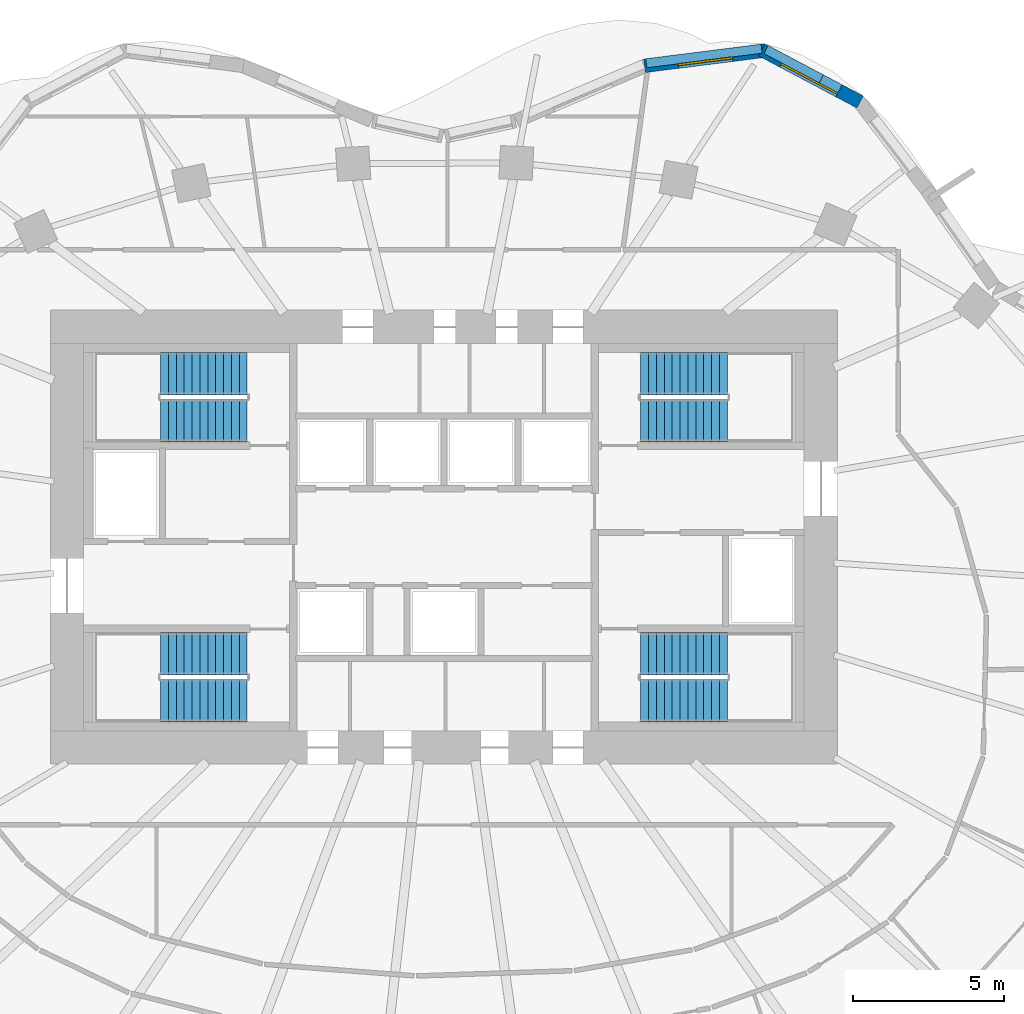
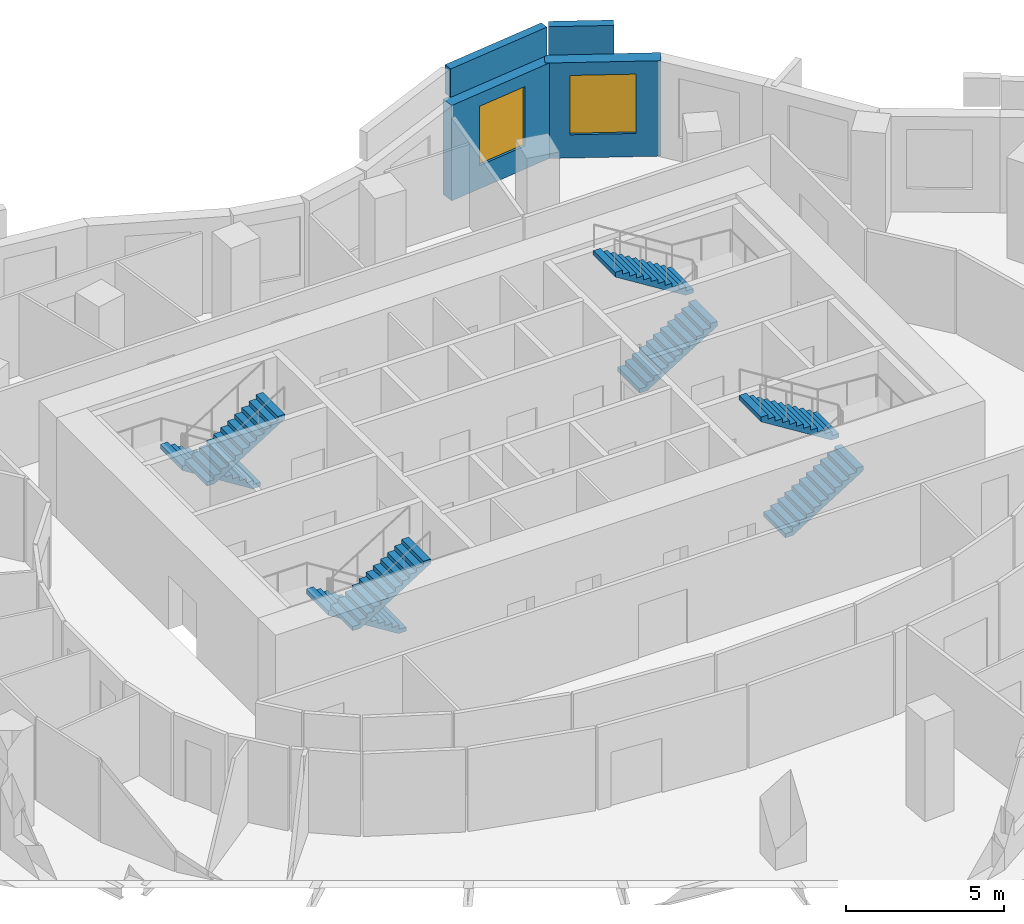
# One storey, part 9 of 10: 8 stair flights, 4 walls, 2 windows, 2 openings, 4 elements without a shape of their own.
"""IFC4 building model written with IfcOpenShell, lengths in metres."""

from ifc_helpers import new_model, si_unit, direction, frame, frame_2d, origin, place, context, subcontext, project, spatial, polyline, rectangle, outline, extrude, material, layer, layer_set, type_object, element, fill, aggregate, save


model = new_model("IFC4")

# Units and contexts
model_context = context("Model", 3, precision=1e-05, world=origin(), true_north=direction((0.0, 1.0)))
body_context = subcontext(model_context, "Body", "Model", "MODEL_VIEW")
ifc_project = project(units=[si_unit("LENGTHUNIT", "METRE"), si_unit("AREAUNIT", "SQUARE_METRE"), si_unit("VOLUMEUNIT", "CUBIC_METRE"), si_unit("PLANEANGLEUNIT", "RADIAN"), si_unit("MASSUNIT", "GRAM", prefix="KILO")], contexts=[model_context])

# Site, building, storey
site_placement = place(None, origin())
site = spatial("IfcSite", under=ifc_project, at=site_placement, CompositionType="ELEMENT")
building_placement = place(site_placement, origin())
building = spatial("IfcBuilding", under=site, at=building_placement, Name="Rubra Terraces Tower", CompositionType="ELEMENT")
storey_placement = place(building_placement, frame((0.0, 0.0, 157.800048828125)))
storey = spatial("IfcBuildingStorey", under=building, at=storey_placement, Name="L38", CompositionType="ELEMENT", Elevation=157.800048828125)

# Wall, opening, window
ifc_material_1 = material(Name="Brick masonry red-brown", Category="masonry")
ifc_layer_1 = layer(ifc_material_1, 0.449951171875)
ifc_layer_set_1 = layer_set([ifc_layer_1], Name="Brick masonry red-brown")
wall_type_1 = type_object("IfcWallType", Name="Brick facade wall 450", PredefinedType="SOLIDWALL", material=ifc_layer_set_1)
wall_1_placement = place(storey_placement, frame((13.75048828125, 18.872314453125, 0.0), z_axis=(0.0, 0.0, 1.0), x_axis=(-0.883502778071, 0.46842591852, 0.0)))
wall_1 = element("IfcWall", 1, at=wall_1_placement, inside=storey, type_object=wall_type_1, Name="Facade wall L38 bay 7", PredefinedType="SOLIDWALL", context=body_context, shape_type="SweptSolid", body=[
    extrude(rectangle(XDim=3.6884765625, YDim=0.449951171875, at=frame_2d((1.84423828125, 0.0))), origin(), (0.0, 0.0, 1.0), 3.699951171875),
])
opening_1_placement = place(wall_1_placement, frame((0.79443359375, 0.0, 0.89990234375)))
opening_1 = element("IfcOpeningElement", 2, at=opening_1_placement, cuts=wall_1, Name="Opening W1B", PredefinedType="OPENING", context=body_context, shape_type="SweptSolid", body=[
    extrude(rectangle(XDim=2.10009765625, YDim=2.300048828125, at=frame_2d((1.050048828125, 1.14990234375))), frame((0.0, 0.23486328125, 0.0), z_axis=(0.0, -1.0, 0.0), x_axis=(1.0, 0.0, 0.0)), (0.0, 0.0, 1.0), 0.469970703125),
])
ifc_material_2 = material(Name="Clear glass in aluminium frame", Category="aluminium")
window_type_1 = type_object("IfcWindowType", Name="Fixed deep-set window tall storey 2100 x 2300", PartitioningType="SINGLE_PANEL", PredefinedType="WINDOW", material=ifc_material_2)
window_1_placement = place(opening_1_placement, origin())
window_1 = element("IfcWindow", 3, at=window_1_placement, inside=storey, type_object=window_type_1, Name="Window L38 bay 7", OverallHeight=2.300048828125, OverallWidth=2.10009765625, PartitioningType="SINGLE_PANEL", PredefinedType="WINDOW", context=body_context, shape_type="SweptSolid", body=[
    extrude(rectangle(XDim=2.10009765625, YDim=2.300048828125, at=frame_2d((1.050048828125, 1.14990234375))), frame((0.0, 0.135009765625, 0.0), z_axis=(0.0, -1.0, 0.0), x_axis=(1.0, 0.0, 0.0)), (0.0, 0.0, 1.0), 0.06005859375),
])
fill(opening_1, window_1)

wall_2_placement = place(storey_placement, frame((10.625244140625, 20.57568359375, 0.0), z_axis=(0.0, 0.0, 1.0), x_axis=(-0.992109407201, -0.125375133674, 0.0)))
wall_2 = element("IfcWall", 4, at=wall_2_placement, inside=storey, type_object=wall_type_1, Name="Facade wall L38 bay 8", PredefinedType="SOLIDWALL", context=body_context, shape_type="SweptSolid", body=[
    extrude(rectangle(XDim=4.03466796875, YDim=0.449951171875, at=frame_2d((2.017333984375, 0.0))), origin(), (0.0, 0.0, 1.0), 3.699951171875),
])
opening_2_placement = place(wall_2_placement, frame((1.117431640625, 0.0, 0.89990234375)))
opening_2 = element("IfcOpeningElement", 5, at=opening_2_placement, cuts=wall_2, Name="Opening W6B", PredefinedType="OPENING", context=body_context, shape_type="SweptSolid", body=[
    extrude(rectangle(XDim=1.800048828125, YDim=2.300048828125, at=frame_2d((0.89990234375, 1.14990234375))), frame((0.0, 0.23486328125, 0.0), z_axis=(0.0, -1.0, 0.0), x_axis=(1.0, 0.0, 0.0)), (0.0, 0.0, 1.0), 0.469970703125),
])
window_type_2 = type_object("IfcWindowType", Name="Fixed deep-set window at wind fin tall storey 1800 x 2300", PartitioningType="SINGLE_PANEL", PredefinedType="WINDOW", material=ifc_material_2)
window_2_placement = place(opening_2_placement, origin())
window_2 = element("IfcWindow", 6, at=window_2_placement, inside=storey, type_object=window_type_2, Name="Window L38 bay 8", OverallHeight=2.300048828125, OverallWidth=1.800048828125, PartitioningType="SINGLE_PANEL", PredefinedType="WINDOW", context=body_context, shape_type="SweptSolid", body=[
    extrude(rectangle(XDim=1.800048828125, YDim=2.300048828125, at=frame_2d((0.89990234375, 1.14990234375))), frame((0.0, 0.135009765625, 0.0), z_axis=(0.0, -1.0, 0.0), x_axis=(1.0, 0.0, 0.0)), (0.0, 0.0, 1.0), 0.06005859375),
])
fill(opening_2, window_2)

# Walls
ifc_layer_2 = layer(ifc_material_1, 0.300048828125)
ifc_layer_set_2 = layer_set([ifc_layer_2], Name="Brick masonry red-brown")
wall_type_2 = type_object("IfcWallType", Name="Brick parapet 300", PredefinedType="PARAPET", material=ifc_layer_set_2)
wall_3_placement = place(storey_placement, frame((12.4658203125, 19.63818359375, 3.89990234375), z_axis=(0.0, 0.0, 1.0), x_axis=(-0.883460622644, 0.468505419645, 0.0)))
element("IfcWall", 7, at=wall_3_placement, inside=storey, type_object=wall_type_2, Name="Parapet L38 bay 7", PredefinedType="PARAPET", context=body_context, shape_type="SweptSolid", body=[
    extrude(rectangle(XDim=2.06982421875, YDim=0.300048828125, at=frame_2d((1.034912109375, 0.0))), origin(), (0.0, 0.0, 1.0), 1.10009765625),
])
wall_4_placement = place(storey_placement, frame((10.49169921875, 20.634521484375, 3.89990234375), z_axis=(0.0, 0.0, 1.0), x_axis=(-0.992108633106, -0.125381259031, 0.0)))
element("IfcWall", 8, at=wall_4_placement, inside=storey, type_object=wall_type_2, Name="Parapet L38 bay 8", PredefinedType="PARAPET", context=body_context, shape_type="SweptSolid", body=[
    extrude(rectangle(XDim=3.837890625, YDim=0.300048828125, at=frame_2d((1.9189453125, 0.0))), origin(), (0.0, 0.0, 1.0), 1.10009765625),
])

# Stair, stair flights
ifc_material_3 = material(Name="Concrete C40", Category="concrete")
stair_type = type_object("IfcStairType", Name="Core stair 1400", PredefinedType="HALF_TURN_STAIR", material=ifc_material_3)
stair_1_placement = place(storey_placement, origin())
stair_1 = element("IfcStair", 9, at=stair_1_placement, inside=storey, type_object=stair_type, Name="L38 Exit stair S1", PredefinedType="HALF_TURN_STAIR")
stair_flight_type = type_object("IfcStairFlightType", Name="Core stair flight 1400", PredefinedType="STRAIGHT", material=ifc_material_3)
stair_flight_1_placement = place(storey_placement, frame((-6.5, 0.64990234375, 0.0), z_axis=(0.0, 0.0, 1.0), x_axis=(-1.0, 0.0, 0.0)))
stair_flight_1 = element("IfcStairFlight", 10, at=stair_flight_1_placement, type_object=stair_flight_type, Name="S1 flight 1", NumberOfRisers=12, NumberOfTreads=11, PredefinedType="STRAIGHT", RiserHeight=0.1625, TreadLength=0.26, context=body_context, shape_type="SweptSolid", body=[
    extrude(outline(polyline([(0.0, 0.0), (0.0, 0.16259765625), (0.260009765625, 0.16259765625), (0.260009765625, 0.324951171875), (0.52001953125, 0.324951171875), (0.52001953125, 0.487548828125), (0.780029296875, 0.487548828125), (0.780029296875, 0.64990234375), (1.0400390625, 0.64990234375), (1.0400390625, 0.8125), (1.300048828125, 0.8125), (1.300048828125, 0.97509765625), (1.56005859375, 0.97509765625), (1.56005859375, 1.137451171875), (1.820068359375, 1.137451171875), (1.820068359375, 1.300048828125), (2.080078125, 1.300048828125), (2.080078125, 1.46240234375), (2.340087890625, 1.46240234375), (2.340087890625, 1.625), (2.60009765625, 1.625), (2.60009765625, 1.78759765625), (2.860107421875, 1.78759765625), (2.860107421875, 1.949951171875), (2.860107421875, 1.61083984375), (0.28271484375, 0.0), (0.0, 0.0)])), frame((0.0, 0.699951171875, 0.0), z_axis=(0.0, -1.0, 0.0), x_axis=(1.0, 0.0, 0.0)), (0.0, 0.0, 1.0), 1.39990234375),
])
stair_flight_2_placement = place(storey_placement, frame((-9.360107421875, -0.89990234375, 1.949951171875), z_axis=(0.0, 0.0, 1.0), x_axis=(1.0, 0.0, 0.0)))
stair_flight_2 = element("IfcStairFlight", 11, at=stair_flight_2_placement, type_object=stair_flight_type, Name="S1 flight 2", NumberOfRisers=12, NumberOfTreads=11, PredefinedType="STRAIGHT", RiserHeight=0.1625, TreadLength=0.26, context=body_context, shape_type="SweptSolid", body=[
    extrude(outline(polyline([(0.0, 0.0), (0.0, 0.16259765625), (0.260009765625, 0.16259765625), (0.260009765625, 0.324951171875), (0.52001953125, 0.324951171875), (0.52001953125, 0.487548828125), (0.780029296875, 0.487548828125), (0.780029296875, 0.64990234375), (1.0400390625, 0.64990234375), (1.0400390625, 0.8125), (1.300048828125, 0.8125), (1.300048828125, 0.97509765625), (1.56005859375, 0.97509765625), (1.56005859375, 1.137451171875), (1.820068359375, 1.137451171875), (1.820068359375, 1.300048828125), (2.080078125, 1.300048828125), (2.080078125, 1.46240234375), (2.340087890625, 1.46240234375), (2.340087890625, 1.625), (2.60009765625, 1.625), (2.60009765625, 1.78759765625), (2.860107421875, 1.78759765625), (2.860107421875, 1.949951171875), (2.860107421875, 1.61083984375), (0.28271484375, 0.0), (0.0, 0.0)])), frame((0.0, 0.699951171875, 0.0), z_axis=(0.0, -1.0, 0.0), x_axis=(1.0, 0.0, 0.0)), (0.0, 0.0, 1.0), 1.39990234375),
])
aggregate(stair_1, [stair_flight_1, stair_flight_2])

stair_2_placement = place(storey_placement, origin())
stair_2 = element("IfcStair", 12, at=stair_2_placement, inside=storey, type_object=stair_type, Name="L38 Exit stair S2", PredefinedType="HALF_TURN_STAIR")
stair_flight_3_placement = place(storey_placement, frame((-6.5, 9.89990234375, 0.0), z_axis=(0.0, 0.0, 1.0), x_axis=(-1.0, 0.0, 0.0)))
stair_flight_3 = element("IfcStairFlight", 13, at=stair_flight_3_placement, type_object=stair_flight_type, Name="S2 flight 1", NumberOfRisers=12, NumberOfTreads=11, PredefinedType="STRAIGHT", RiserHeight=0.1625, TreadLength=0.26, context=body_context, shape_type="SweptSolid", body=[
    extrude(outline(polyline([(0.0, 0.0), (0.0, 0.16259765625), (0.260009765625, 0.16259765625), (0.260009765625, 0.324951171875), (0.52001953125, 0.324951171875), (0.52001953125, 0.487548828125), (0.780029296875, 0.487548828125), (0.780029296875, 0.64990234375), (1.0400390625, 0.64990234375), (1.0400390625, 0.8125), (1.300048828125, 0.8125), (1.300048828125, 0.97509765625), (1.56005859375, 0.97509765625), (1.56005859375, 1.137451171875), (1.820068359375, 1.137451171875), (1.820068359375, 1.300048828125), (2.080078125, 1.300048828125), (2.080078125, 1.46240234375), (2.340087890625, 1.46240234375), (2.340087890625, 1.625), (2.60009765625, 1.625), (2.60009765625, 1.78759765625), (2.860107421875, 1.78759765625), (2.860107421875, 1.949951171875), (2.860107421875, 1.61083984375), (0.28271484375, 0.0), (0.0, 0.0)])), frame((0.0, 0.699951171875, 0.0), z_axis=(0.0, -1.0, 0.0), x_axis=(1.0, 0.0, 0.0)), (0.0, 0.0, 1.0), 1.39990234375),
])
stair_flight_4_placement = place(storey_placement, frame((-9.360107421875, 8.35009765625, 1.949951171875), z_axis=(0.0, 0.0, 1.0), x_axis=(1.0, 0.0, 0.0)))
stair_flight_4 = element("IfcStairFlight", 14, at=stair_flight_4_placement, type_object=stair_flight_type, Name="S2 flight 2", NumberOfRisers=12, NumberOfTreads=11, PredefinedType="STRAIGHT", RiserHeight=0.1625, TreadLength=0.26, context=body_context, shape_type="SweptSolid", body=[
    extrude(outline(polyline([(0.0, 0.0), (0.0, 0.16259765625), (0.260009765625, 0.16259765625), (0.260009765625, 0.324951171875), (0.52001953125, 0.324951171875), (0.52001953125, 0.487548828125), (0.780029296875, 0.487548828125), (0.780029296875, 0.64990234375), (1.0400390625, 0.64990234375), (1.0400390625, 0.8125), (1.300048828125, 0.8125), (1.300048828125, 0.97509765625), (1.56005859375, 0.97509765625), (1.56005859375, 1.137451171875), (1.820068359375, 1.137451171875), (1.820068359375, 1.300048828125), (2.080078125, 1.300048828125), (2.080078125, 1.46240234375), (2.340087890625, 1.46240234375), (2.340087890625, 1.625), (2.60009765625, 1.625), (2.60009765625, 1.78759765625), (2.860107421875, 1.78759765625), (2.860107421875, 1.949951171875), (2.860107421875, 1.61083984375), (0.28271484375, 0.0), (0.0, 0.0)])), frame((0.0, 0.699951171875, 0.0), z_axis=(0.0, -1.0, 0.0), x_axis=(1.0, 0.0, 0.0)), (0.0, 0.0, 1.0), 1.39990234375),
])
aggregate(stair_2, [stair_flight_3, stair_flight_4])

stair_3_placement = place(storey_placement, origin())
stair_3 = element("IfcStair", 15, at=stair_3_placement, inside=storey, type_object=stair_type, Name="L38 Exit stair S3", PredefinedType="HALF_TURN_STAIR")
stair_flight_5_placement = place(storey_placement, frame((6.5, 8.35009765625, 0.0), z_axis=(0.0, 0.0, 1.0), x_axis=(1.0, 0.0, 0.0)))
stair_flight_5 = element("IfcStairFlight", 16, at=stair_flight_5_placement, type_object=stair_flight_type, Name="S3 flight 1", NumberOfRisers=12, NumberOfTreads=11, PredefinedType="STRAIGHT", RiserHeight=0.1625, TreadLength=0.26, context=body_context, shape_type="SweptSolid", body=[
    extrude(outline(polyline([(0.0, 0.0), (0.0, 0.16259765625), (0.260009765625, 0.16259765625), (0.260009765625, 0.324951171875), (0.52001953125, 0.324951171875), (0.52001953125, 0.487548828125), (0.780029296875, 0.487548828125), (0.780029296875, 0.64990234375), (1.0400390625, 0.64990234375), (1.0400390625, 0.8125), (1.300048828125, 0.8125), (1.300048828125, 0.97509765625), (1.56005859375, 0.97509765625), (1.56005859375, 1.137451171875), (1.820068359375, 1.137451171875), (1.820068359375, 1.300048828125), (2.080078125, 1.300048828125), (2.080078125, 1.46240234375), (2.340087890625, 1.46240234375), (2.340087890625, 1.625), (2.60009765625, 1.625), (2.60009765625, 1.78759765625), (2.860107421875, 1.78759765625), (2.860107421875, 1.949951171875), (2.860107421875, 1.61083984375), (0.28271484375, 0.0), (0.0, 0.0)])), frame((0.0, 0.699951171875, 0.0), z_axis=(0.0, -1.0, 0.0), x_axis=(1.0, 0.0, 0.0)), (0.0, 0.0, 1.0), 1.39990234375),
])
stair_flight_6_placement = place(storey_placement, frame((9.360107421875, 9.89990234375, 1.949951171875), z_axis=(0.0, 0.0, 1.0), x_axis=(-1.0, 0.0, 0.0)))
stair_flight_6 = element("IfcStairFlight", 17, at=stair_flight_6_placement, type_object=stair_flight_type, Name="S3 flight 2", NumberOfRisers=12, NumberOfTreads=11, PredefinedType="STRAIGHT", RiserHeight=0.1625, TreadLength=0.26, context=body_context, shape_type="SweptSolid", body=[
    extrude(outline(polyline([(0.0, 0.0), (0.0, 0.16259765625), (0.260009765625, 0.16259765625), (0.260009765625, 0.324951171875), (0.52001953125, 0.324951171875), (0.52001953125, 0.487548828125), (0.780029296875, 0.487548828125), (0.780029296875, 0.64990234375), (1.0400390625, 0.64990234375), (1.0400390625, 0.8125), (1.300048828125, 0.8125), (1.300048828125, 0.97509765625), (1.56005859375, 0.97509765625), (1.56005859375, 1.137451171875), (1.820068359375, 1.137451171875), (1.820068359375, 1.300048828125), (2.080078125, 1.300048828125), (2.080078125, 1.46240234375), (2.340087890625, 1.46240234375), (2.340087890625, 1.625), (2.60009765625, 1.625), (2.60009765625, 1.78759765625), (2.860107421875, 1.78759765625), (2.860107421875, 1.949951171875), (2.860107421875, 1.61083984375), (0.28271484375, 0.0), (0.0, 0.0)])), frame((0.0, 0.699951171875, 0.0), z_axis=(0.0, -1.0, 0.0), x_axis=(1.0, 0.0, 0.0)), (0.0, 0.0, 1.0), 1.39990234375),
])
aggregate(stair_3, [stair_flight_5, stair_flight_6])

stair_4_placement = place(storey_placement, origin())
stair_4 = element("IfcStair", 18, at=stair_4_placement, inside=storey, type_object=stair_type, Name="L38 Exit stair S4", PredefinedType="HALF_TURN_STAIR")
stair_flight_7_placement = place(storey_placement, frame((6.5, -0.89990234375, 0.0), z_axis=(0.0, 0.0, 1.0), x_axis=(1.0, 0.0, 0.0)))
stair_flight_7 = element("IfcStairFlight", 19, at=stair_flight_7_placement, type_object=stair_flight_type, Name="S4 flight 1", NumberOfRisers=12, NumberOfTreads=11, PredefinedType="STRAIGHT", RiserHeight=0.1625, TreadLength=0.26, context=body_context, shape_type="SweptSolid", body=[
    extrude(outline(polyline([(0.0, 0.0), (0.0, 0.16259765625), (0.260009765625, 0.16259765625), (0.260009765625, 0.324951171875), (0.52001953125, 0.324951171875), (0.52001953125, 0.487548828125), (0.780029296875, 0.487548828125), (0.780029296875, 0.64990234375), (1.0400390625, 0.64990234375), (1.0400390625, 0.8125), (1.300048828125, 0.8125), (1.300048828125, 0.97509765625), (1.56005859375, 0.97509765625), (1.56005859375, 1.137451171875), (1.820068359375, 1.137451171875), (1.820068359375, 1.300048828125), (2.080078125, 1.300048828125), (2.080078125, 1.46240234375), (2.340087890625, 1.46240234375), (2.340087890625, 1.625), (2.60009765625, 1.625), (2.60009765625, 1.78759765625), (2.860107421875, 1.78759765625), (2.860107421875, 1.949951171875), (2.860107421875, 1.61083984375), (0.28271484375, 0.0), (0.0, 0.0)])), frame((0.0, 0.699951171875, 0.0), z_axis=(0.0, -1.0, 0.0), x_axis=(1.0, 0.0, 0.0)), (0.0, 0.0, 1.0), 1.39990234375),
])
stair_flight_8_placement = place(storey_placement, frame((9.360107421875, 0.64990234375, 1.949951171875), z_axis=(0.0, 0.0, 1.0), x_axis=(-1.0, 0.0, 0.0)))
stair_flight_8 = element("IfcStairFlight", 20, at=stair_flight_8_placement, type_object=stair_flight_type, Name="S4 flight 2", NumberOfRisers=12, NumberOfTreads=11, PredefinedType="STRAIGHT", RiserHeight=0.1625, TreadLength=0.26, context=body_context, shape_type="SweptSolid", body=[
    extrude(outline(polyline([(0.0, 0.0), (0.0, 0.16259765625), (0.260009765625, 0.16259765625), (0.260009765625, 0.324951171875), (0.52001953125, 0.324951171875), (0.52001953125, 0.487548828125), (0.780029296875, 0.487548828125), (0.780029296875, 0.64990234375), (1.0400390625, 0.64990234375), (1.0400390625, 0.8125), (1.300048828125, 0.8125), (1.300048828125, 0.97509765625), (1.56005859375, 0.97509765625), (1.56005859375, 1.137451171875), (1.820068359375, 1.137451171875), (1.820068359375, 1.300048828125), (2.080078125, 1.300048828125), (2.080078125, 1.46240234375), (2.340087890625, 1.46240234375), (2.340087890625, 1.625), (2.60009765625, 1.625), (2.60009765625, 1.78759765625), (2.860107421875, 1.78759765625), (2.860107421875, 1.949951171875), (2.860107421875, 1.61083984375), (0.28271484375, 0.0), (0.0, 0.0)])), frame((0.0, 0.699951171875, 0.0), z_axis=(0.0, -1.0, 0.0), x_axis=(1.0, 0.0, 0.0)), (0.0, 0.0, 1.0), 1.39990234375),
])
aggregate(stair_4, [stair_flight_7, stair_flight_8])

save(model, "model.ifc")
